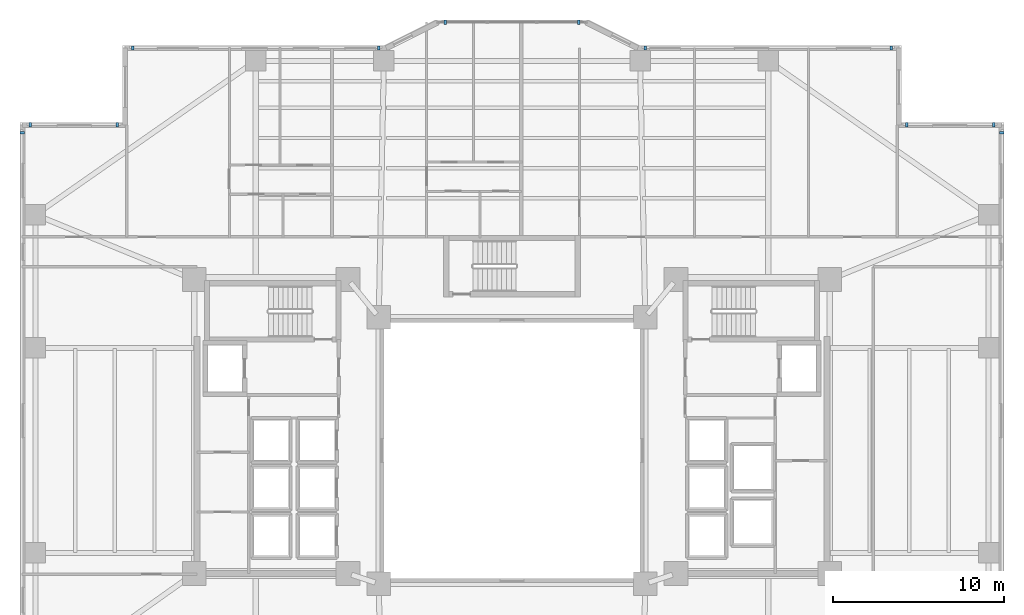
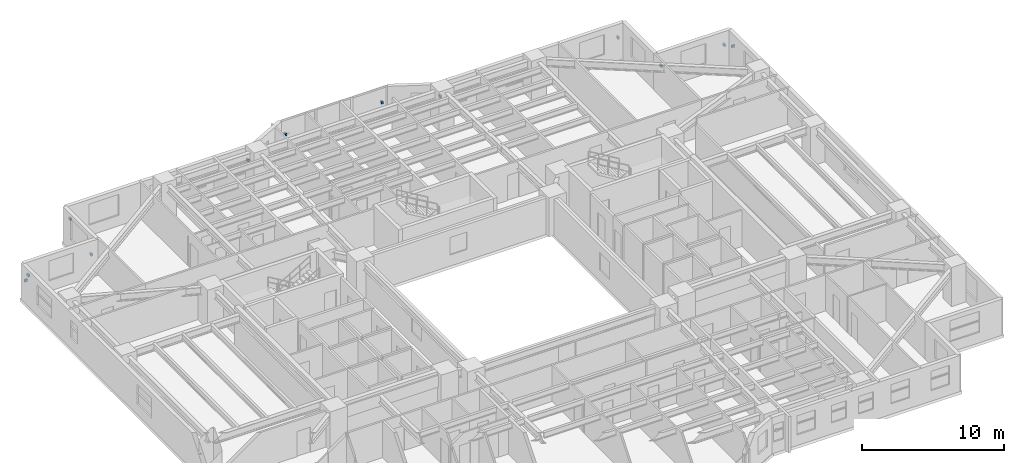
# One storey, part 18 of 21: 12 discrete accessories.
"""IFC4 building model written with IfcOpenShell, lengths in metres."""

import ifcopenshell
import ifcopenshell.guid

model = None  # the IFC model being written
_history = None  # IfcOwnerHistory: only IFC2X3 demands one
_inside = {}  # id of a spatial element -> (the spatial element, [elements in it])
_under = {}  # id of a project, library or spatial element -> (it, [spatial elements below it])
_declared = {}  # id of a project -> (the project, [libraries it declares])
_typed = {}  # id of a type object -> (the type object, [elements of that type])
_made_of = {}  # id of a material, layer set ... -> (it, [elements and type objects made of it])


def new_model(schema):
    """Start an empty IFC model of exactly this schema.

    Asked for "IFC4X3", IfcOpenShell would pick the latest addendum, in which some entities
    have other attributes; the version numbers below select the first issue.
    IFC2X3 requires an IfcOwnerHistory on every rooted entity: one is made here for all.
    """
    global model, _history
    if schema == "IFC4X3":
        model = ifcopenshell.file(schema_version=(4, 3, 0, 0))
    else:
        model = ifcopenshell.file(schema=schema)
    _inside.clear()
    _under.clear()
    _declared.clear()
    _typed.clear()
    _made_of.clear()
    _history = None
    if model.schema == "IFC2X3":
        org = make("IfcOrganization", Name="unknown")
        user = make(
            "IfcPersonAndOrganization",
            ThePerson=make("IfcPerson", FamilyName="unknown"),
            TheOrganization=org,
        )
        app = make(
            "IfcApplication",
            ApplicationDeveloper=org,
            Version="unknown",
            ApplicationFullName="unknown",
            ApplicationIdentifier="unknown",
        )
        _history = make(
            "IfcOwnerHistory",
            OwningUser=user,
            OwningApplication=app,
            ChangeAction="ADDED",
            CreationDate=0,
        )
    return model


def make(cls, **values):
    """One entity of the class cls with the attributes given. An attribute that is None is left unset."""
    return model.create_entity(
        cls, **{name: value for name, value in values.items() if value is not None}
    )


def rooted(cls, **values):
    """An entity with a GlobalId (a new one), such as an element, a storey or a relation."""
    return make(cls, GlobalId=ifcopenshell.guid.new(), OwnerHistory=_history, **values)


def si_unit(unit_type, name, prefix=None):
    """IfcSIUnit, for example si_unit("LENGTHUNIT", "METRE", prefix="MILLI")."""
    return make("IfcSIUnit", UnitType=unit_type, Prefix=prefix, Name=name)


def assignment(units):
    """IfcUnitAssignment: the units of a project."""
    return None if units is None else make("IfcUnitAssignment", Units=units)


def point(xyz):
    """IfcCartesianPoint."""
    return None if xyz is None else make("IfcCartesianPoint", Coordinates=xyz)


def direction(xyz):
    """IfcDirection."""
    return None if xyz is None else make("IfcDirection", DirectionRatios=xyz)


def frame(location, z_axis=None, x_axis=None):
    """IfcAxis2Placement3D, a coordinate frame: its origin and axes. An axis left out is left unset."""
    return make(
        "IfcAxis2Placement3D",
        Location=point(location),
        Axis=direction(z_axis),
        RefDirection=direction(x_axis),
    )


def frame_2d(location, x_axis=None):
    """IfcAxis2Placement2D, a coordinate frame in the plane: its origin and x axis."""
    return make(
        "IfcAxis2Placement2D", Location=point(location), RefDirection=direction(x_axis)
    )


def origin():
    """The frame at (0, 0, 0) with its axes left unset."""
    return frame((0.0, 0.0, 0.0))


def origin_2d():
    """The frame at (0, 0) in the plane with its x axis left unset."""
    return frame_2d((0.0, 0.0))


def place(relative_to, where):
    """IfcLocalPlacement: puts the frame where relative to a parent placement (None: the world)."""
    return make(
        "IfcLocalPlacement", PlacementRelTo=relative_to, RelativePlacement=where
    )


def context(
    kind, dimensions, precision=None, world=None, true_north=None, identifier=None
):
    """IfcGeometricRepresentationContext, for example the 3D "Model" context."""
    return make(
        "IfcGeometricRepresentationContext",
        ContextIdentifier=identifier,
        ContextType=kind,
        CoordinateSpaceDimension=dimensions,
        Precision=precision,
        WorldCoordinateSystem=world,
        TrueNorth=true_north,
    )


def subcontext(parent, identifier, kind, view, scale=None):
    """IfcGeometricRepresentationSubContext, for example "Body" below "Model"."""
    return make(
        "IfcGeometricRepresentationSubContext",
        ContextIdentifier=identifier,
        ContextType=kind,
        ParentContext=parent,
        TargetScale=scale,
        TargetView=view,
    )


def project(units=None, contexts=None):
    """IfcProject with its units and contexts."""
    return rooted(
        "IfcProject",
        Name="project",
        RepresentationContexts=contexts,
        UnitsInContext=assignment(units),
    )


def spatial(cls, under=None, at=None, **own):
    """A site, building, storey or space (cls), placed at a placement, below another one or the project."""
    s = rooted(cls, ObjectPlacement=at, **own)
    if under is not None:
        _under.setdefault(under.id(), (under, []))[1].append(s)
    return s


def profile(cls, at=None, kind="AREA", **sizes):
    """A parametric profile (cls). Its sizes go by their IFC names, for example OverallWidth=200.0."""
    return make(cls, ProfileType=kind, Position=at, **sizes)


def rectangle(**sizes):
    """IfcRectangleProfileDef."""
    return profile("IfcRectangleProfileDef", **sizes)


def extrude(swept, where, along, depth):
    """IfcExtrudedAreaSolid: the profile swept, set in the frame where, extruded along a direction by depth."""
    return make(
        "IfcExtrudedAreaSolid",
        SweptArea=swept,
        Position=where,
        ExtrudedDirection=direction(along),
        Depth=depth,
    )


def shape(context_of_items, identifier, shape_type, items):
    """IfcShapeRepresentation: the items that make up one representation, for example the "Body"."""
    return make(
        "IfcShapeRepresentation",
        ContextOfItems=context_of_items,
        RepresentationIdentifier=identifier,
        RepresentationType=shape_type,
        Items=items,
    )


def material(Name=None, Category=None):
    """IfcMaterial."""
    return make("IfcMaterial", Name=Name, Category=Category)


def made_of(thing, what):
    """Note that an element or type object is made of a material, layer set ...; save() writes the relation."""
    if what is not None:
        _made_of.setdefault(what.id(), (what, []))[1].append(thing)
    return thing


def type_object(cls, material=None, **own):
    """A type object (cls), such as IfcWallType, which elements share."""
    return made_of(rooted(cls, **own), material)


def element(
    cls,
    number,
    at=None,
    inside=None,
    cuts=None,
    type_object=None,
    material=None,
    context=None,
    identifier="Body",
    shape_type=None,
    held_by="IfcProductDefinitionShape",
    body=None,
    shapes=None,
    **own,
):
    """One element of the class cls, such as IfcWall. Its Tag is "e" and its number.

    at: its placement. inside: the storey or other place that contains it. cuts: it is an
    opening in that element (IfcRelVoidsElement). A single representation is given by context,
    identifier, shape_type and body (its items); several are given by shapes. held_by: the class
    of the entity that holds the representations. save() writes the other relations.
    """
    e = rooted(cls, Tag="e%d" % number, ObjectPlacement=at, **own)
    if body is not None:
        shapes = [shape(context, identifier, shape_type, body)]
    if shapes is not None:
        e.Representation = make(held_by, Representations=shapes)
    if inside is not None:
        _inside.setdefault(inside.id(), (inside, []))[1].append(e)
    if cuts is not None:
        rooted(
            "IfcRelVoidsElement", RelatingBuildingElement=cuts, RelatedOpeningElement=e
        )
    if type_object is not None:
        _typed.setdefault(type_object.id(), (type_object, []))[1].append(e)
    return made_of(e, material)


def aggregate(whole, parts):
    """IfcRelAggregates: a whole, such as a stair, and the parts it consists of."""
    return rooted("IfcRelAggregates", RelatingObject=whole, RelatedObjects=parts)


def save(model, path):
    """Write the relations noted so far, then the file.

    IfcRelAggregates (storeys below a building ...), IfcRelContainedInSpatialStructure (elements
    in a storey), IfcRelDefinesByType, IfcRelAssociatesMaterial and IfcRelDeclares: one each for
    every whole, place, type object, material and project.
    """
    for whole, parts in _under.values():
        aggregate(whole, parts)
    for where, things in _inside.values():
        rooted(
            "IfcRelContainedInSpatialStructure",
            RelatedElements=things,
            RelatingStructure=where,
        )
    for kind, things in _typed.values():
        rooted("IfcRelDefinesByType", RelatedObjects=things, RelatingType=kind)
    for what, things in _made_of.values():
        rooted("IfcRelAssociatesMaterial", RelatedObjects=things, RelatingMaterial=what)
    for by, libraries in _declared.values():
        rooted("IfcRelDeclares", RelatingContext=by, RelatedDefinitions=libraries)
    model.write(path)


model = new_model("IFC4")

# Units and contexts
model_context = context("Model", 3, precision=1e-05, world=origin(), true_north=direction((0.0, 1.0)))
body_context = subcontext(model_context, "Body", "Model", "MODEL_VIEW")
ifc_project = project(units=[si_unit("LENGTHUNIT", "METRE"), si_unit("AREAUNIT", "SQUARE_METRE"), si_unit("VOLUMEUNIT", "CUBIC_METRE"), si_unit("PLANEANGLEUNIT", "RADIAN"), si_unit("MASSUNIT", "GRAM", prefix="KILO")], contexts=[model_context])

# Site, building, storey
site_placement = place(None, origin())
site = spatial("IfcSite", under=ifc_project, at=site_placement, CompositionType="ELEMENT")
building_placement = place(site_placement, origin())
building = spatial("IfcBuilding", under=site, at=building_placement, Name="Tarnavaz Court Tower", CompositionType="ELEMENT")
storey_placement = place(building_placement, frame((0.0, 0.0, 40.75)))
storey = spatial("IfcBuildingStorey", under=building, at=storey_placement, Name="L10", CompositionType="ELEMENT", Elevation=40.75)

# Discrete accessories
ifc_material = material(Name="Anodised Aluminium 6063-T6", Category="aluminium")
discrete_accessory_type = type_object("IfcDiscreteAccessoryType", Name="DA-BRKT-ALU", PredefinedType="BRACKET", material=ifc_material)
for number, where, z_axis, x_axis, name in (
    (1, (-28.669921875, 18.60009765625, 1.75), (0.0, 0.0, 1.0), (0.0, 1.0, 0.0), "L10 Baguette Outrigger Bracket FBG02-2"),
    (2, (-28.199951171875, 19.070068359375, 1.75), (0.0, 0.0, 1.0), (1.0, 0.0, 0.0), "L10 Baguette Outrigger Bracket FBG03-1"),
    (3, (-23.10009765625, 19.070068359375, 1.75), (0.0, 0.0, 1.0), (1.0, 0.0, 0.0), "L10 Baguette Outrigger Bracket FBG03-2"),
    (4, (-22.199951171875, 23.570068359375, 1.75), (0.0, 0.0, 1.0), (1.0, 0.0, 0.0), "L10 Baguette Outrigger Bracket FBG05-1"),
    (5, (-7.800048828125, 23.570068359375, 1.75), (0.0, 0.0, 1.0), (1.0, 0.0, 0.0), "L10 Baguette Outrigger Bracket FBG05-2"),
    (6, (-3.89990234375, 25.070068359375, 1.7001953125), (0.0, 0.0, 1.0), (1.0, 0.0, 0.0), "L10 Baguette Outrigger Bracket PBG7-1"),
    (7, (3.89990234375, 25.070068359375, 1.7001953125), (0.0, 0.0, 1.0), (1.0, 0.0, 0.0), "L10 Baguette Outrigger Bracket PBG7-2"),
    (8, (7.800048828125, 23.570068359375, 1.75), (0.0, 0.0, 1.0), (1.0, 0.0, 0.0), "L10 Baguette Outrigger Bracket FBG09-1"),
    (9, (22.199951171875, 23.570068359375, 1.75), (0.0, 0.0, 1.0), (1.0, 0.0, 0.0), "L10 Baguette Outrigger Bracket FBG09-2"),
    (10, (23.10009765625, 19.070068359375, 1.75), (0.0, 0.0, 1.0), (1.0, 0.0, 0.0), "L10 Baguette Outrigger Bracket FBG11-1"),
    (11, (28.199951171875, 19.070068359375, 1.75), (0.0, 0.0, 1.0), (1.0, 0.0, 0.0), "L10 Baguette Outrigger Bracket FBG11-2"),
    (12, (28.669921875, 18.60009765625, 1.75), (0.0, 0.0, 1.0), (0.0, -1.0, 0.0), "L10 Baguette Outrigger Bracket FBG12-1"),
):
    element("IfcDiscreteAccessory", number, at=place(storey_placement, frame(where, z_axis=z_axis, x_axis=x_axis)), inside=storey, type_object=discrete_accessory_type, Name=name, PredefinedType="BRACKET", context=body_context, shape_type="SweptSolid", body=[
        extrude(rectangle(XDim=0.139892578125, YDim=0.239990234375, at=origin_2d()), origin(), (0.0, 0.0, 1.0), 0.199951171875),
    ])

save(model, "model.ifc")
